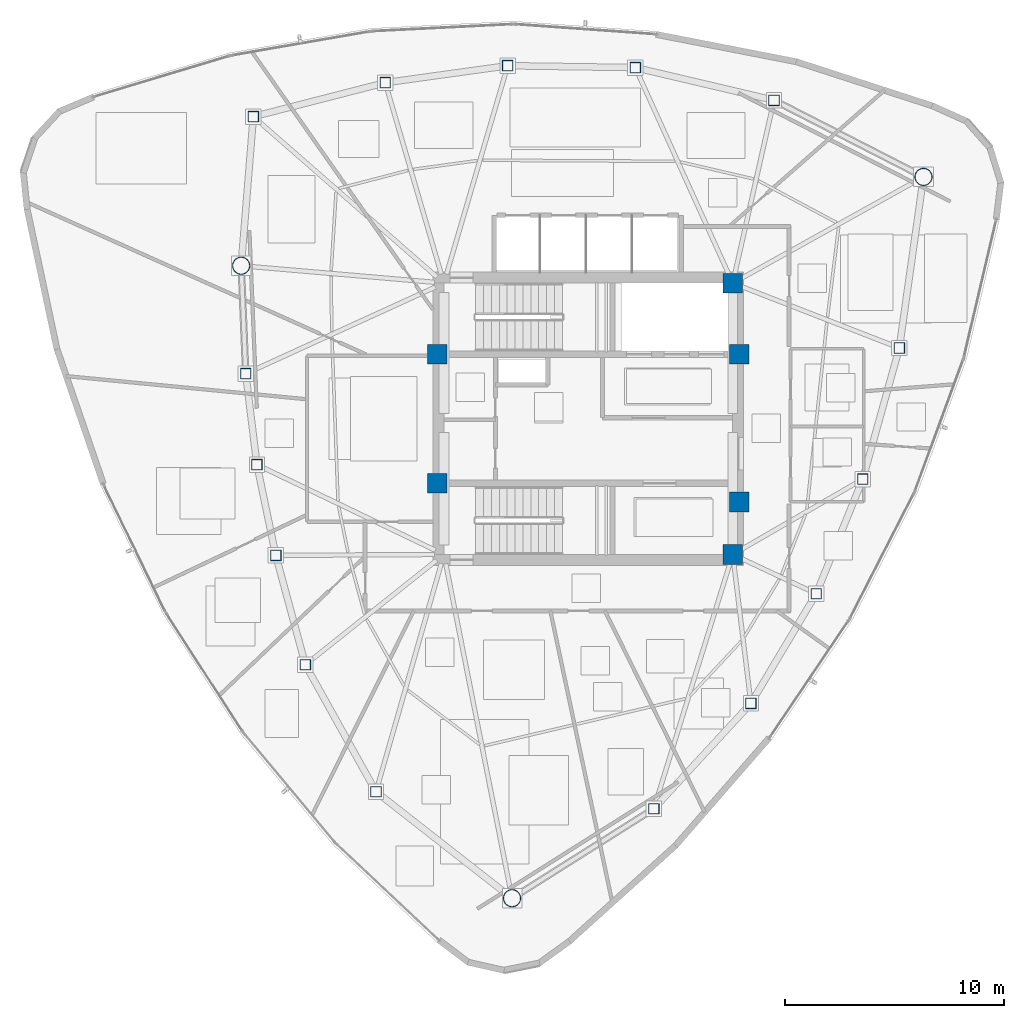
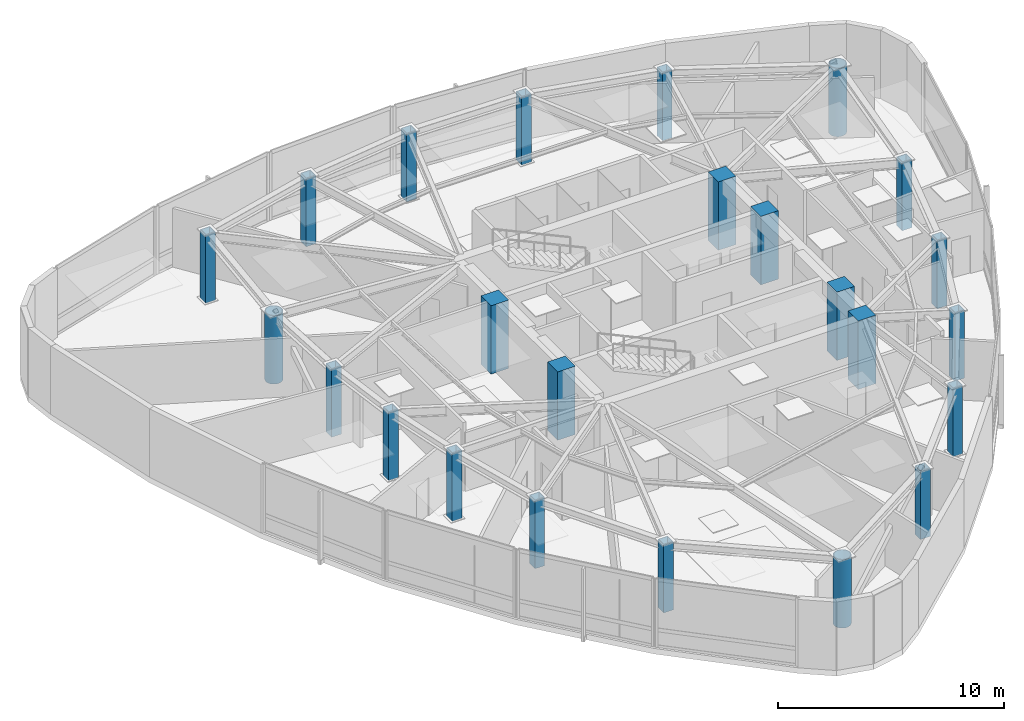
# One storey, part 1 of 12: 24 columns.
"""IFC4 building model written with IfcOpenShell, lengths in metres."""

from ifc_helpers import new_model, si_unit, direction, frame, origin, origin_2d, place, context, subcontext, project, spatial, rectangle, hollow_rectangle, hollow_circle, extrude, material, material_profile, profile_set, type_object, element, save


model = new_model("IFC4")

# Units and contexts
model_context = context("Model", 3, precision=1e-05, world=origin(), true_north=direction((0.0, 1.0)))
body_context = subcontext(model_context, "Body", "Model", "MODEL_VIEW")
ifc_project = project(units=[si_unit("LENGTHUNIT", "METRE"), si_unit("AREAUNIT", "SQUARE_METRE"), si_unit("VOLUMEUNIT", "CUBIC_METRE"), si_unit("PLANEANGLEUNIT", "RADIAN"), si_unit("MASSUNIT", "GRAM", prefix="KILO")], contexts=[model_context])

# Site, building, storey
site_placement = place(None, origin())
site = spatial("IfcSite", under=ifc_project, at=site_placement, CompositionType="ELEMENT")
building_placement = place(site_placement, origin())
building = spatial("IfcBuilding", under=site, at=building_placement, Name="Tavelor Broadcast Tower", CompositionType="ELEMENT")
storey_placement = place(building_placement, frame((0.0, 0.0, 293.5)))
storey = spatial("IfcBuildingStorey", under=building, at=storey_placement, Name="L70", CompositionType="ELEMENT", Elevation=293.5)

# Columns
ifc_material_1 = material(Name="Concrete C50/60", Category="concrete")
ifc_material_profile_1 = material_profile(ifc_material_1, rectangle(XDim=0.89990234375, YDim=0.89990234375, at=origin_2d()), Name="RC 900x900")
ifc_profile_set_1 = profile_set([ifc_material_profile_1], Name="Concrete C50/60")
column_type_1 = type_object("IfcColumnType", Name="Core Embedded Composite Column RC900", PredefinedType="COLUMN", material=ifc_profile_set_1)
for number, where, z_axis, x_axis, name in (
    (1, (43.10009765625, 47.949951171875, 0.0), (0.0, 0.0, 1.0), (1.0, 0.0, 0.0), "L70 Core Embedded Column 1"),
    (2, (56.89990234375, 47.949951171875, 0.0), (0.0, 0.0, 1.0), (1.0, 0.0, 0.0), "L70 Core Embedded Column 2"),
    (3, (56.60009765625, 51.199951171875, 0.0), (0.0, 0.0, 1.0), (1.0, 0.0, 0.0), "L70 Core Embedded Column 3"),
    (4, (43.10009765625, 42.050048828125, 0.0), (0.0, 0.0, 1.0), (1.0, 0.0, 0.0), "L70 Core Embedded Column 4"),
    (5, (56.89990234375, 41.199951171875, 0.0), (0.0, 0.0, 1.0), (1.0, 0.0, 0.0), "L70 Core Embedded Column 5"),
    (6, (56.60009765625, 38.800048828125, 0.0), (0.0, 0.0, 1.0), (1.0, 0.0, 0.0), "L70 Core Embedded Column 6"),
):
    element("IfcColumn", number, at=place(storey_placement, frame(where, z_axis=z_axis, x_axis=x_axis)), inside=storey, type_object=column_type_1, Name=name, PredefinedType="COLUMN", context=body_context, shape_type="SweptSolid", body=[
        extrude(rectangle(XDim=0.89990234375, YDim=0.89990234375, at=origin_2d()), origin(), (0.0, 0.0, 1.0), 3.699951171875),
    ])
ifc_material_2 = material(Name="Steel S460", Category="steel")
ifc_material_profile_2 = material_profile(ifc_material_2, hollow_rectangle(XDim=0.5, YDim=0.5, WallThickness=0.030029296875, at=origin_2d()), Name="SHS 500x500x30")
ifc_profile_set_2 = profile_set([ifc_material_profile_2], Name="Steel S460")
column_type_2 = type_object("IfcColumnType", Name="Perimeter Tube Column T7 SHS 500x500x30", PredefinedType="COLUMN", material=ifc_profile_set_2)
for number, where, z_axis, x_axis, name in (
    (7, (34.341552734375, 47.061279296875, 0.0), (0.0, 0.0, 1.0), (1.0, 0.0, 0.0), "L70 Perimeter Framed-Tube Column 02"),
    (8, (34.85400390625, 42.90185546875, 0.0), (0.0, 0.0, 1.0), (1.0, 0.0, 0.0), "L70 Perimeter Framed-Tube Column 03"),
    (9, (35.716552734375, 38.757080078125, 0.0), (0.0, 0.0, 1.0), (1.0, 0.0, 0.0), "L70 Perimeter Framed-Tube Column 04"),
    (10, (37.068115234375, 33.759521484375, 0.0), (0.0, 0.0, 1.0), (1.0, 0.0, 0.0), "L70 Perimeter Framed-Tube Column 05"),
    (11, (40.29638671875, 27.95361328125, 0.0), (0.0, 0.0, 1.0), (1.0, 0.0, 0.0), "L70 Perimeter Framed-Tube Column 06"),
    (12, (52.992919921875, 27.1767578125, 0.0), (0.0, 0.0, 1.0), (1.0, 0.0, 0.0), "L70 Perimeter Framed-Tube Column 08"),
    (13, (57.431396484375, 31.9921875, 0.0), (0.0, 0.0, 1.0), (1.0, 0.0, 0.0), "L70 Perimeter Framed-Tube Column 09"),
    (14, (60.41748046875, 37.00439453125, 0.0), (0.0, 0.0, 1.0), (1.0, 0.0, 0.0), "L70 Perimeter Framed-Tube Column 10"),
    (15, (62.543701171875, 42.240478515625, 0.0), (0.0, 0.0, 1.0), (1.0, 0.0, 0.0), "L70 Perimeter Framed-Tube Column 11"),
    (16, (64.21435546875, 48.2373046875, 0.0), (0.0, 0.0, 1.0), (1.0, 0.0, 0.0), "L70 Perimeter Framed-Tube Column 12"),
    (17, (58.485595703125, 59.55712890625, 0.0), (0.0, 0.0, 1.0), (1.0, 0.0, 0.0), "L70 Perimeter Framed-Tube Column 14"),
    (18, (52.147216796875, 61.05078125, 0.0), (0.0, 0.0, 1.0), (1.0, 0.0, 0.0), "L70 Perimeter Framed-Tube Column 15"),
    (19, (46.3154296875, 61.13720703125, 0.0), (0.0, 0.0, 1.0), (1.0, 0.0, 0.0), "L70 Perimeter Framed-Tube Column 16"),
    (20, (40.718017578125, 60.36083984375, 0.0), (0.0, 0.0, 1.0), (1.0, 0.0, 0.0), "L70 Perimeter Framed-Tube Column 17"),
    (21, (34.689208984375, 58.80908203125, 0.0), (0.0, 0.0, 1.0), (1.0, 0.0, 0.0), "L70 Perimeter Framed-Tube Column 18"),
):
    element("IfcColumn", number, at=place(storey_placement, frame(where, z_axis=z_axis, x_axis=x_axis)), inside=storey, type_object=column_type_2, Name=name, PredefinedType="COLUMN", context=body_context, shape_type="SweptSolid", body=[
        extrude(hollow_rectangle(XDim=0.5, YDim=0.5, WallThickness=0.030029296875, at=origin_2d()), origin(), (0.0, 0.0, 1.0), 3.699951171875),
    ])
ifc_material_profile_3 = material_profile(ifc_material_2, hollow_circle(Radius=0.406494140625, WallThickness=0.035888671875, at=origin_2d()), Name="CHS 813x36")
ifc_profile_set_3 = profile_set([ifc_material_profile_3], Name="Steel S460")
column_type_3 = type_object("IfcColumnType", Name="Tower Mega Column T7 CHS 813x36", PredefinedType="COLUMN", material=ifc_profile_set_3)
for number, where, z_axis, x_axis, name in (
    (22, (34.134765625, 51.995849609375, 0.0), (0.0, 0.0, 1.0), (1.0, 0.0, 0.0), "L70 Tower Corner Mega Column 01"),
    (23, (46.5146484375, 23.08740234375, 0.0), (0.0, 0.0, 1.0), (1.0, 0.0, 0.0), "L70 Tower Corner Mega Column 07"),
    (24, (65.319580078125, 56.0556640625, 0.0), (0.0, 0.0, 1.0), (1.0, 0.0, 0.0), "L70 Tower Corner Mega Column 13"),
):
    element("IfcColumn", number, at=place(storey_placement, frame(where, z_axis=z_axis, x_axis=x_axis)), inside=storey, type_object=column_type_3, Name=name, PredefinedType="COLUMN", context=body_context, shape_type="SweptSolid", body=[
        extrude(hollow_circle(Radius=0.406494140625, WallThickness=0.035888671875, at=origin_2d()), origin(), (0.0, 0.0, 1.0), 3.699951171875),
    ])

save(model, "model.ifc")
